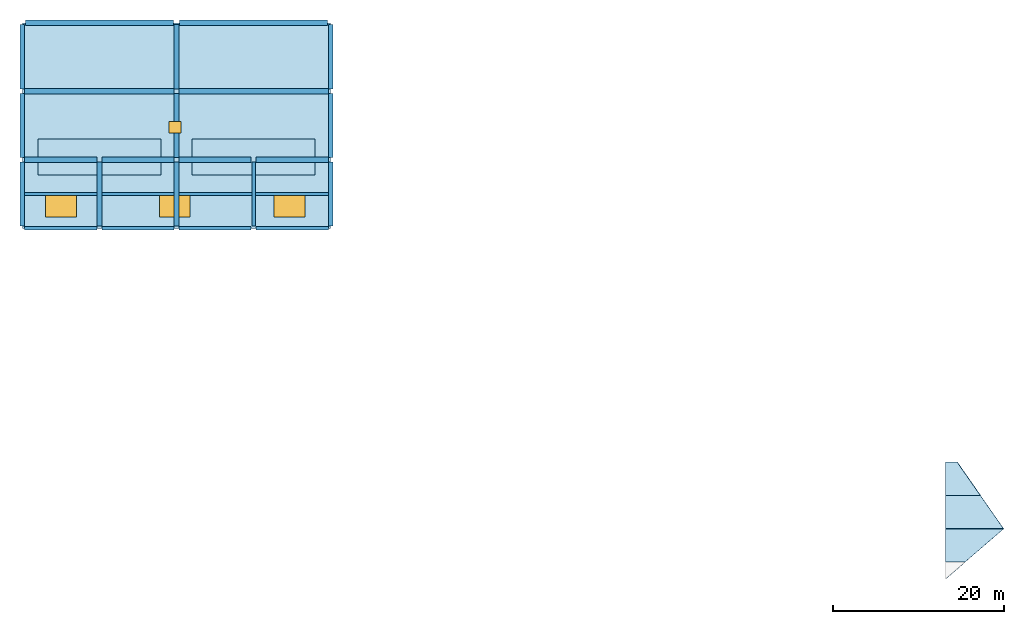
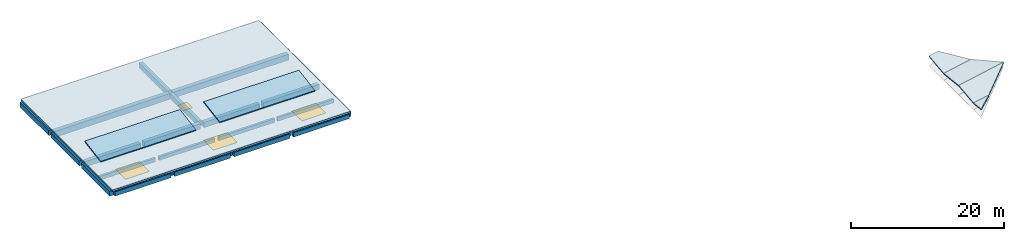
# One storey, part 1 of 2: 27 beams, 7 slabs, 4 windows, 4 openings.
"""IFC4 building model written with IfcOpenShell, lengths in metres."""

from ifc_helpers import new_model, si_unit, direction, frame, origin, origin_2d, place, context, subcontext, project, spatial, polyline, rectangle, outline, extrude, material, layer, layer_set, material_profile, profile_set, type_object, element, fill, save


model = new_model("IFC4")

# Units and contexts
model_context = context("Model", 3, precision=1e-05, world=origin(), true_north=direction((0.0, 1.0)))
body_context = subcontext(model_context, "Body", "Model", "MODEL_VIEW")
ifc_project = project(units=[si_unit("LENGTHUNIT", "METRE"), si_unit("AREAUNIT", "SQUARE_METRE"), si_unit("VOLUMEUNIT", "CUBIC_METRE"), si_unit("PLANEANGLEUNIT", "RADIAN"), si_unit("MASSUNIT", "GRAM", prefix="KILO")], contexts=[model_context])

# Site, building, storey
site_placement = place(None, origin())
site = spatial("IfcSite", under=ifc_project, at=site_placement, CompositionType="ELEMENT")
building_placement = place(site_placement, origin())
building = spatial("IfcBuilding", under=site, at=building_placement, Name="Vervanel Yard Central Library", CompositionType="ELEMENT")
storey_placement = place(building_placement, frame((0.0, 0.0, 23.89990234375)))
storey = spatial("IfcBuildingStorey", under=building, at=storey_placement, Name="RF", CompositionType="ELEMENT", Elevation=23.89990234375)

# Beams
ifc_material_1 = material(Name="Concrete C45/55", Category="concrete")
ifc_material_profile_1 = material_profile(ifc_material_1, rectangle(XDim=0.64990234375, YDim=0.949951171875, at=origin_2d()), Name="RC 650x950", Category="concrete")
ifc_profile_set_1 = profile_set([ifc_material_profile_1], Name="Concrete C45/55")
beam_type_1 = type_object("IfcBeamType", Name="Concrete Heavy Stack Girder 650x950", PredefinedType="BEAM", material=ifc_profile_set_1)
for number, where, z_axis, x_axis, name in (
    (1, (45.27490234375, 106.0, -0.72998046875), (1.0, 0.0, 0.0), (0.0, 1.0, 0.0), "RF Girder CB-04 Y=106.0 X=45.0-63.0"),
    (2, (63.27490234375, 106.0, -0.72998046875), (1.0, 0.0, 0.0), (0.0, 1.0, 0.0), "RF Girder CB-04 Y=106.0 X=63.0-81.0"),
):
    element("IfcBeam", number, at=place(storey_placement, frame(where, z_axis=z_axis, x_axis=x_axis)), inside=storey, type_object=beam_type_1, Name=name, PredefinedType="BEAM", context=body_context, shape_type="SweptSolid", body=[
        extrude(rectangle(XDim=0.64990234375, YDim=0.949951171875, at=origin_2d()), origin(), (0.0, 0.0, 1.0), 17.4501953125),
    ])
for number, where, z_axis, x_axis, name in (
    (3, (45.375, 114.0, -0.72998046875), (1.0, 0.0, 0.0), (0.0, 1.0, 0.0), "RF Girder CB-04 Y=114.0 X=45.0-63.0"),
    (4, (63.375, 114.0, -0.72998046875), (1.0, 0.0, 0.0), (0.0, 1.0, 0.0), "RF Girder CB-04 Y=114.0 X=63.0-81.0"),
):
    element("IfcBeam", number, at=place(storey_placement, frame(where, z_axis=z_axis, x_axis=x_axis)), inside=storey, type_object=beam_type_1, Name=name, PredefinedType="BEAM", context=body_context, shape_type="SweptSolid", body=[
        extrude(rectangle(XDim=0.64990234375, YDim=0.949951171875, at=origin_2d()), origin(), (0.0, 0.0, 1.0), 17.25),
    ])
ifc_material_2 = material(Name="Concrete C40/50", Category="concrete")
ifc_material_profile_2 = material_profile(ifc_material_2, rectangle(XDim=0.39990234375, YDim=0.699951171875, at=origin_2d()), Name="RC 400x700", Category="concrete")
ifc_profile_set_2 = profile_set([ifc_material_profile_2], Name="Concrete C40/50")
beam_type_2 = type_object("IfcBeamType", Name="Concrete Perimeter Spandrel 400x700", PredefinedType="SPANDREL", material=ifc_profile_set_2)
for number, where, z_axis, x_axis, name in (
    (5, (45.27490234375, 90.0, -0.60498046875), (1.0, 0.0, 0.0), (0.0, 1.0, 0.0), "RF Girder SP-01 Y=90.0 X=45.0-54.0"),
    (6, (54.27490234375, 90.0, -0.60498046875), (1.0, 0.0, 0.0), (0.0, 1.0, 0.0), "RF Girder SP-01 Y=90.0 X=54.0-63.0"),
    (7, (63.27490234375, 90.0, -0.60498046875), (1.0, 0.0, 0.0), (0.0, 1.0, 0.0), "RF Girder SP-01 Y=90.0 X=63.0-72.0"),
    (8, (72.27490234375, 90.0, -0.60498046875), (1.0, 0.0, 0.0), (0.0, 1.0, 0.0), "RF Girder SP-01 Y=90.0 X=72.0-81.0"),
):
    element("IfcBeam", number, at=place(storey_placement, frame(where, z_axis=z_axis, x_axis=x_axis)), inside=storey, type_object=beam_type_2, Name=name, PredefinedType="SPANDREL", context=body_context, shape_type="SweptSolid", body=[
        extrude(rectangle(XDim=0.39990234375, YDim=0.699951171875, at=origin_2d()), origin(), (0.0, 0.0, 1.0), 8.4501953125),
    ])
beam_1_placement = place(storey_placement, frame((72.0, 90.27490234375, -0.60498046875), z_axis=(0.0, 1.0, 0.0), x_axis=(-1.0, 0.0, 0.0)))
element("IfcBeam", 9, at=beam_1_placement, inside=storey, type_object=beam_type_2, Name="RF Girder SP-01 X=72.0 Y=90.0-98.0", PredefinedType="SPANDREL", context=body_context, shape_type="SweptSolid", body=[
    extrude(rectangle(XDim=0.39990234375, YDim=0.699951171875, at=origin_2d()), origin(), (0.0, 0.0, 1.0), 7.4501953125),
])
ifc_material_profile_3 = material_profile(ifc_material_2, rectangle(XDim=0.550048828125, YDim=0.800048828125, at=origin_2d()), Name="RC 550x800", Category="concrete")
ifc_profile_set_3 = profile_set([ifc_material_profile_3], Name="Concrete C40/50")
beam_type_3 = type_object("IfcBeamType", Name="Concrete Primary Girder 550x800", PredefinedType="BEAM", material=ifc_profile_set_3)
for number, where, z_axis, x_axis, name in (
    (10, (45.0, 90.27490234375, -0.65478515625), (0.0, 1.0, 0.0), (-1.0, 0.0, 0.0), "RF Girder CB-02 X=45.0 Y=90.0-98.0"),
    (11, (45.0, 98.27490234375, -0.65478515625), (0.0, 1.0, 0.0), (-1.0, 0.0, 0.0), "RF Girder CB-02 X=45.0 Y=98.0-106.0"),
):
    element("IfcBeam", number, at=place(storey_placement, frame(where, z_axis=z_axis, x_axis=x_axis)), inside=storey, type_object=beam_type_3, Name=name, PredefinedType="BEAM", context=body_context, shape_type="SweptSolid", body=[
        extrude(rectangle(XDim=0.550048828125, YDim=0.800048828125, at=origin_2d()), origin(), (0.0, 0.0, 1.0), 7.4501953125),
    ])
beam_2_placement = place(storey_placement, frame((45.0, 106.27490234375, -0.65478515625), z_axis=(0.0, 1.0, 0.0), x_axis=(-1.0, 0.0, 0.0)))
element("IfcBeam", 12, at=beam_2_placement, inside=storey, type_object=beam_type_3, Name="RF Girder CB-02 X=45.0 Y=106.0-114.0", PredefinedType="BEAM", context=body_context, shape_type="SweptSolid", body=[
    extrude(rectangle(XDim=0.550048828125, YDim=0.800048828125, at=origin_2d()), origin(), (0.0, 0.0, 1.0), 7.525146484375),
])
for number, where, z_axis, x_axis, name in (
    (13, (54.0, 90.27490234375, -0.65478515625), (0.0, 1.0, 0.0), (-1.0, 0.0, 0.0), "RF Girder CB-02 X=54.0 Y=90.0-98.0"),
    (14, (63.0, 90.27490234375, -0.65478515625), (0.0, 1.0, 0.0), (-1.0, 0.0, 0.0), "RF Girder CB-02 X=63.0 Y=90.0-98.0"),
    (15, (63.0, 98.27490234375, -0.65478515625), (0.0, 1.0, 0.0), (-1.0, 0.0, 0.0), "RF Girder CB-02 X=63.0 Y=98.0-106.0"),
):
    element("IfcBeam", number, at=place(storey_placement, frame(where, z_axis=z_axis, x_axis=x_axis)), inside=storey, type_object=beam_type_3, Name=name, PredefinedType="BEAM", context=body_context, shape_type="SweptSolid", body=[
        extrude(rectangle(XDim=0.550048828125, YDim=0.800048828125, at=origin_2d()), origin(), (0.0, 0.0, 1.0), 7.4501953125),
    ])
beam_3_placement = place(storey_placement, frame((63.0, 106.27490234375, -0.65478515625), z_axis=(0.0, 1.0, 0.0), x_axis=(-1.0, 0.0, 0.0)))
element("IfcBeam", 16, at=beam_3_placement, inside=storey, type_object=beam_type_3, Name="RF Girder CB-02 X=63.0 Y=106.0-114.0", PredefinedType="BEAM", context=body_context, shape_type="SweptSolid", body=[
    extrude(rectangle(XDim=0.550048828125, YDim=0.800048828125, at=origin_2d()), origin(), (0.0, 0.0, 1.0), 7.525146484375),
])
for number, where, z_axis, x_axis, name in (
    (17, (81.0, 90.27490234375, -0.65478515625), (0.0, 1.0, 0.0), (-1.0, 0.0, 0.0), "RF Girder CB-02 X=81.0 Y=90.0-98.0"),
    (18, (81.0, 98.27490234375, -0.65478515625), (0.0, 1.0, 0.0), (-1.0, 0.0, 0.0), "RF Girder CB-02 X=81.0 Y=98.0-106.0"),
):
    element("IfcBeam", number, at=place(storey_placement, frame(where, z_axis=z_axis, x_axis=x_axis)), inside=storey, type_object=beam_type_3, Name=name, PredefinedType="BEAM", context=body_context, shape_type="SweptSolid", body=[
        extrude(rectangle(XDim=0.550048828125, YDim=0.800048828125, at=origin_2d()), origin(), (0.0, 0.0, 1.0), 7.4501953125),
    ])
beam_4_placement = place(storey_placement, frame((81.0, 106.27490234375, -0.65478515625), z_axis=(0.0, 1.0, 0.0), x_axis=(-1.0, 0.0, 0.0)))
element("IfcBeam", 19, at=beam_4_placement, inside=storey, type_object=beam_type_3, Name="RF Girder CB-02 X=81.0 Y=106.0-114.0", PredefinedType="BEAM", context=body_context, shape_type="SweptSolid", body=[
    extrude(rectangle(XDim=0.550048828125, YDim=0.800048828125, at=origin_2d()), origin(), (0.0, 0.0, 1.0), 7.525146484375),
])
ifc_material_profile_4 = material_profile(ifc_material_2, rectangle(XDim=0.35009765625, YDim=0.60009765625, at=origin_2d()), Name="RC 350x600", Category="concrete")
ifc_profile_set_4 = profile_set([ifc_material_profile_4], Name="Concrete C40/50")
beam_type_4 = type_object("IfcBeamType", Name="Concrete Secondary Joist 350x600", PredefinedType="JOIST", material=ifc_profile_set_4)
for number, where, z_axis, x_axis, name in (
    (20, (45.27490234375, 94.0, -0.554931640625), (1.0, 0.0, 0.0), (0.0, 1.0, 0.0), "RF Floor Joist CJ-01 Y=94.00 X=45.0-54.0"),
    (21, (54.27490234375, 94.0, -0.554931640625), (1.0, 0.0, 0.0), (0.0, 1.0, 0.0), "RF Floor Joist CJ-01 Y=94.00 X=54.0-63.0"),
):
    element("IfcBeam", number, at=place(storey_placement, frame(where, z_axis=z_axis, x_axis=x_axis)), inside=storey, type_object=beam_type_4, Name=name, PredefinedType="JOIST", context=body_context, shape_type="SweptSolid", body=[
        extrude(rectangle(XDim=0.35009765625, YDim=0.60009765625, at=origin_2d()), origin(), (0.0, 0.0, 1.0), 8.4501953125),
    ])
for number, where, z_axis, x_axis, name in (
    (22, (63.27490234375, 94.0, -0.554931640625), (1.0, 0.0, 0.0), (0.0, 1.0, 0.0), "RF Floor Joist CJ-01 Y=94.00 X=63.0-72.0"),
    (23, (72.199951171875, 94.0, -0.554931640625), (1.0, 0.0, 0.0), (0.0, 1.0, 0.0), "RF Floor Joist CJ-01 Y=94.00 X=72.0-81.0"),
):
    element("IfcBeam", number, at=place(storey_placement, frame(where, z_axis=z_axis, x_axis=x_axis)), inside=storey, type_object=beam_type_4, Name=name, PredefinedType="JOIST", context=body_context, shape_type="SweptSolid", body=[
        extrude(rectangle(XDim=0.35009765625, YDim=0.60009765625, at=origin_2d()), origin(), (0.0, 0.0, 1.0), 8.525146484375),
    ])
ifc_material_profile_5 = material_profile(ifc_material_1, rectangle(XDim=0.60009765625, YDim=0.85009765625, at=origin_2d()), Name="RC 600x850", Category="concrete")
ifc_profile_set_5 = profile_set([ifc_material_profile_5], Name="Concrete C45/55")
beam_type_5 = type_object("IfcBeamType", Name="Concrete Stack Girder 600x850", PredefinedType="BEAM", material=ifc_profile_set_5)
for number, where, z_axis, x_axis, name in (
    (24, (45.27490234375, 98.0, -0.679931640625), (1.0, 0.0, 0.0), (0.0, 1.0, 0.0), "RF Girder CB-03 Y=98.0 X=45.0-54.0"),
    (25, (54.27490234375, 98.0, -0.679931640625), (1.0, 0.0, 0.0), (0.0, 1.0, 0.0), "RF Girder CB-03 Y=98.0 X=54.0-63.0"),
    (26, (63.27490234375, 98.0, -0.679931640625), (1.0, 0.0, 0.0), (0.0, 1.0, 0.0), "RF Girder CB-03 Y=98.0 X=63.0-72.0"),
    (27, (72.27490234375, 98.0, -0.679931640625), (1.0, 0.0, 0.0), (0.0, 1.0, 0.0), "RF Girder CB-03 Y=98.0 X=72.0-81.0"),
):
    element("IfcBeam", number, at=place(storey_placement, frame(where, z_axis=z_axis, x_axis=x_axis)), inside=storey, type_object=beam_type_5, Name=name, PredefinedType="BEAM", context=body_context, shape_type="SweptSolid", body=[
        extrude(rectangle(XDim=0.60009765625, YDim=0.85009765625, at=origin_2d()), origin(), (0.0, 0.0, 1.0), 8.4501953125),
    ])

# Slabs
ifc_layer_1 = layer(ifc_material_1, 0.18505859375, Category="concrete")
ifc_layer_set_1 = layer_set([ifc_layer_1], Name="Concrete C45/55")
slab_type_1 = type_object("IfcSlabType", Name="Atrium Monitor Sloped Roof Deck 185", PredefinedType="ROOF", material=ifc_layer_set_1)
for number, where, z_axis, x_axis, name in (
    (28, (46.800048828125, 96.199951171875, 0.22021484375), (0.0, -0.164389689151, 0.986395473479), (1.0, 0.0, 0.0), "RF V1 Atrium Monitor Sloped Roof Deck 185 V1-SAWTOOTH-1"),
    (29, (64.800048828125, 96.199951171875, 0.22021484375), (0.0, -0.164389689151, 0.986395473479), (1.0, 0.0, 0.0), "RF V1 Atrium Monitor Sloped Roof Deck 185 V1-SAWTOOTH-2"),
):
    element("IfcSlab", number, at=place(storey_placement, frame(where, z_axis=z_axis, x_axis=x_axis)), inside=storey, type_object=slab_type_1, Name=name, PredefinedType="ROOF", context=body_context, shape_type="SweptSolid", body=[
        extrude(outline(polyline([(0.0, 0.0), (14.39990234375, 0.0), (14.39990234375, 4.25787758033781), (0.0, 4.25787758033781), (0.0, 0.0)])), origin(), (0.0, 0.0, -1.0), 0.18505859375),
    ])

# Slab, openings, windows
ifc_layer_2 = layer(ifc_material_2, 0.25, Category="concrete")
ifc_layer_set_2 = layer_set([ifc_layer_2], Name="Concrete C40/50")
slab_type_2 = type_object("IfcSlabType", Name="Flat Concrete Roof Slab 250", PredefinedType="ROOF", material=ifc_layer_set_2)
slab_1_placement = place(storey_placement, frame((0.0, 0.0, -0.25)))
slab_1 = element("IfcSlab", 30, at=slab_1_placement, inside=storey, type_object=slab_type_2, Name="RF V1 Flat Concrete Roof Slab 250", PredefinedType="ROOF", context=body_context, shape_type="SweptSolid", body=[
    extrude(outline(polyline([(45.0, 90.0), (81.0, 90.0), (81.0, 114.0), (45.0, 114.0), (45.0, 90.0)])), origin(), (0.0, 0.0, 1.0), 0.25),
])
opening_1_placement = place(slab_1_placement, frame((49.5, 92.60009765625, 0.0)))
opening_1 = element("IfcOpeningElement", 31, at=opening_1_placement, cuts=slab_1, Name="Opening SK-01", PredefinedType="OPENING", context=body_context, shape_type="SweptSolid", body=[
    extrude(rectangle(XDim=3.60009765625, YDim=2.60009765625, at=origin_2d()), frame((0.0, 0.0, -0.010009765625)), (0.0, 0.0, 1.0), 0.27001953125),
])
opening_2_placement = place(slab_1_placement, frame((62.800048828125, 92.60009765625, 0.0)))
opening_2 = element("IfcOpeningElement", 32, at=opening_2_placement, cuts=slab_1, Name="Opening SK-01", PredefinedType="OPENING", context=body_context, shape_type="SweptSolid", body=[
    extrude(rectangle(XDim=3.60009765625, YDim=2.60009765625, at=origin_2d()), frame((0.0, 0.0, -0.010009765625)), (0.0, 0.0, 1.0), 0.27001953125),
])
opening_3_placement = place(slab_1_placement, frame((76.199951171875, 92.60009765625, 0.0)))
opening_3 = element("IfcOpeningElement", 33, at=opening_3_placement, cuts=slab_1, Name="Opening SK-01", PredefinedType="OPENING", context=body_context, shape_type="SweptSolid", body=[
    extrude(rectangle(XDim=3.60009765625, YDim=2.60009765625, at=origin_2d()), frame((0.0, 0.0, -0.010009765625)), (0.0, 0.0, 1.0), 0.27001953125),
])
opening_4_placement = place(slab_1_placement, frame((62.800048828125, 101.800048828125, 0.0)))
opening_4 = element("IfcOpeningElement", 34, at=opening_4_placement, cuts=slab_1, Name="Opening SK-03", PredefinedType="OPENING", context=body_context, shape_type="SweptSolid", body=[
    extrude(rectangle(XDim=1.39990234375, YDim=1.39990234375, at=origin_2d()), frame((0.0, 0.0, -0.010009765625)), (0.0, 0.0, 1.0), 0.27001953125),
])
ifc_material_3 = material(Name="Double low-E laminated solar-control glass", Category="glass")
window_type_1 = type_object("IfcWindowType", Name="Smoke-Vent Roof Access Hatch Skylight 1400x1400", PartitioningType="SINGLE_PANEL", PredefinedType="SKYLIGHT", material=ifc_material_3)
window_1_placement = place(opening_4_placement, frame((0.0, 0.0, 0.18994140625)))
window_1 = element("IfcWindow", 35, at=window_1_placement, inside=storey, type_object=window_type_1, Name="RF Smoke-Vent Roof Access Hatch Skylight 1400x1400 4", OverallHeight=1.39990234375, OverallWidth=1.39990234375, PartitioningType="SINGLE_PANEL", PredefinedType="SKYLIGHT", context=body_context, shape_type="SweptSolid", body=[
    extrude(rectangle(XDim=1.39990234375, YDim=1.39990234375, at=origin_2d()), origin(), (0.0, 0.0, 1.0), 0.06005859375),
])
fill(opening_4, window_1)
window_type_2 = type_object("IfcWindowType", Name="Spine Reading Roof Skylight 3600x2600", PartitioningType="SINGLE_PANEL", PredefinedType="SKYLIGHT", material=ifc_material_3)
window_2_placement = place(opening_1_placement, frame((0.0, 0.0, 0.18994140625)))
window_2 = element("IfcWindow", 36, at=window_2_placement, inside=storey, type_object=window_type_2, Name="RF Spine Reading Roof Skylight 3600x2600 1", OverallHeight=2.60009765625, OverallWidth=3.60009765625, PartitioningType="SINGLE_PANEL", PredefinedType="SKYLIGHT", context=body_context, shape_type="SweptSolid", body=[
    extrude(rectangle(XDim=3.60009765625, YDim=2.60009765625, at=origin_2d()), origin(), (0.0, 0.0, 1.0), 0.06005859375),
])
fill(opening_1, window_2)
window_3_placement = place(opening_2_placement, frame((0.0, 0.0, 0.18994140625)))
window_3 = element("IfcWindow", 37, at=window_3_placement, inside=storey, type_object=window_type_2, Name="RF Spine Reading Roof Skylight 3600x2600 2", OverallHeight=2.60009765625, OverallWidth=3.60009765625, PartitioningType="SINGLE_PANEL", PredefinedType="SKYLIGHT", context=body_context, shape_type="SweptSolid", body=[
    extrude(rectangle(XDim=3.60009765625, YDim=2.60009765625, at=origin_2d()), origin(), (0.0, 0.0, 1.0), 0.06005859375),
])
fill(opening_2, window_3)
window_4_placement = place(opening_3_placement, frame((0.0, 0.0, 0.18994140625)))
window_4 = element("IfcWindow", 38, at=window_4_placement, inside=storey, type_object=window_type_2, Name="RF Spine Reading Roof Skylight 3600x2600 3", OverallHeight=2.60009765625, OverallWidth=3.60009765625, PartitioningType="SINGLE_PANEL", PredefinedType="SKYLIGHT", context=body_context, shape_type="SweptSolid", body=[
    extrude(rectangle(XDim=3.60009765625, YDim=2.60009765625, at=origin_2d()), origin(), (0.0, 0.0, 1.0), 0.06005859375),
])
fill(opening_3, window_4)

# Slabs
ifc_layer_3 = layer(ifc_material_1, 0.2099609375, Category="concrete")
ifc_layer_set_3 = layer_set([ifc_layer_3], Name="Concrete C45/55")
slab_type_3 = type_object("IfcSlabType", Name="Folded Shell Prow Ribbed Plate 210", PredefinedType="ROOF", material=ifc_layer_set_3)
slab_2_placement = place(storey_placement, frame((152.800048828125, 51.0, -0.1572265625), z_axis=(-0.194556377015, 0.109352699362, 0.974776796659), x_axis=(0.980657790014, 0.0, 0.195730168558)))
element("IfcSlab", 39, at=slab_2_placement, inside=storey, type_object=slab_type_3, Name="RF V3 Folded Shell Prow Ribbed Plate 210 V3-FS-B7-S02", PredefinedType="ROOF", context=body_context, shape_type="SweptSolid", body=[
    extrude(outline(polyline([(0.042815974372164986, -1.961715557244538), (2.3113073546956118, 0.0), (0.0, 0.0), (0.042815974372164986, -1.961715557244538)])), origin(), (0.0, 0.0, -1.0), 0.2099609375),
])
slab_3_placement = place(storey_placement, frame((152.800048828125, 54.89990234375, 0.2802734375), z_axis=(-0.194566405906, 0.109317105574, 0.974778787275), x_axis=(-5.601814e-06, 0.993770263116, -0.111448033249)))
element("IfcSlab", 40, at=slab_3_placement, inside=storey, type_object=slab_type_3, Name="RF V3 Folded Shell Prow Ribbed Plate 210 V3-FS-B7-S04", PredefinedType="ROOF", context=body_context, shape_type="SweptSolid", body=[
    extrude(outline(polyline([(-0.1512928818710451, -6.932510794704531), (3.83381605909052, -4.159343220167188), (3.9246081125145382, 0.0), (0.0, 0.0), (-0.1512928818710451, -6.932510794704531)])), origin(), (0.0, 0.0, -1.0), 0.2099609375),
])
ifc_layer_4 = layer(ifc_material_1, 0.199951171875, Category="concrete")
ifc_layer_set_4 = layer_set([ifc_layer_4], Name="Concrete C45/55")
slab_type_4 = type_object("IfcSlabType", Name="Folded Shell Prow Upper Plate 200", PredefinedType="ROOF", material=ifc_layer_set_4)
slab_4_placement = place(storey_placement, frame((152.800048828125, 51.0, -0.1572265625), z_axis=(-0.194551401205, -0.109349802416, 0.974778114753), x_axis=(5.8868e-07, 0.993766673084, 0.111480040671)))
element("IfcSlab", 41, at=slab_4_placement, inside=storey, type_object=slab_type_4, Name="RF V3 Folded Shell Prow Upper Plate 200 V3-FS-B7-S03", PredefinedType="ROOF", context=body_context, shape_type="SweptSolid", body=[
    extrude(outline(polyline([(0.050434077311626795, -2.3107570386292773), (4.075667727371533, -6.9325105915529965), (3.924365495292932, -1.3877787807814457e-17), (0.0, 0.0), (0.050434077311626795, -2.3107570386292773)])), origin(), (0.0, 0.0, -1.0), 0.199951171875),
])
slab_5_placement = place(storey_placement, frame((152.800048828125, 58.800048828125, -0.1572265625), z_axis=(-0.194595027192, -0.109354852276, 0.974768840124), x_axis=(-5.88944e-07, 0.993766011246, 0.111485940336)))
element("IfcSlab", 42, at=slab_5_placement, inside=storey, type_object=slab_type_4, Name="RF V3 Folded Shell Prow Upper Plate 200 V3-FS-B7-S05", PredefinedType="ROOF", context=body_context, shape_type="SweptSolid", body=[
    extrude(outline(polyline([(0.09079766970579707, -4.159343099086488), (3.9546313852427852, -1.3863678751780262), (3.9243654952929243, 0.0), (0.0, 0.0), (0.09079766970579707, -4.159343099086488)])), origin(), (0.0, 0.0, -1.0), 0.199951171875),
])

save(model, "model.ifc")
